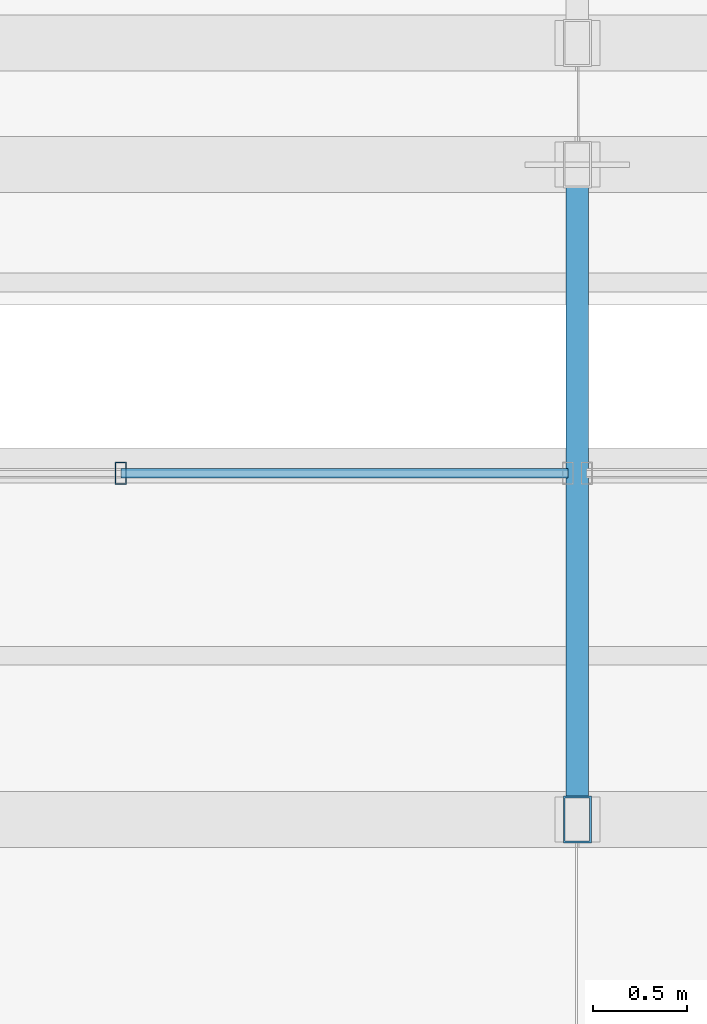
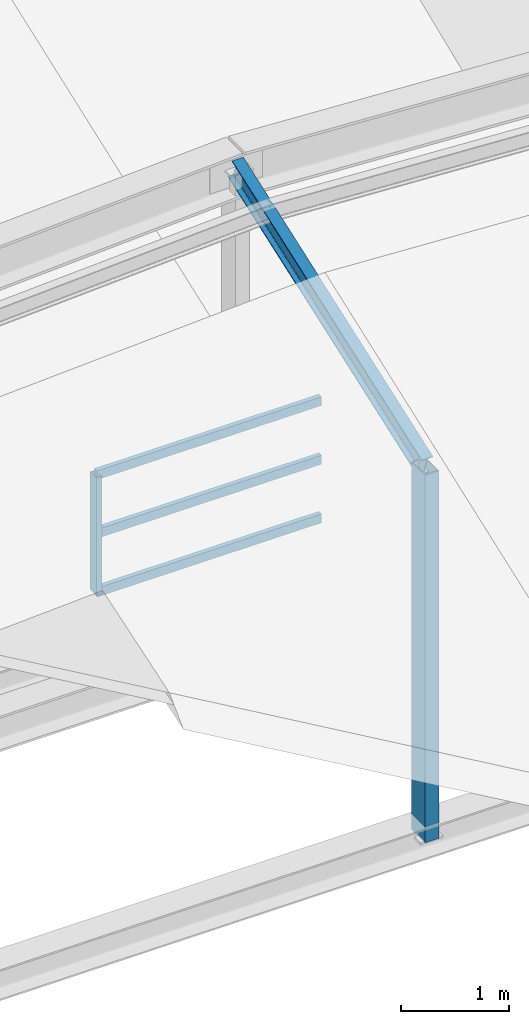
# One storey, part 12 of 141: 6 members, 1 element without a shape of its own.
"""IFC4 building model written with IfcOpenShell, lengths in metres."""

from ifc_helpers import new_model, si_unit, direction, frame, origin, origin_2d, place, context, subcontext, project, spatial, hollow_rectangle, i_section, extrude, material, material_profile, profile_set, type_object, element, aggregate, save


model = new_model("IFC4")

# Units and contexts
model_context = context("Model", 3, precision=1e-05, world=origin(), true_north=direction((0.0, 1.0)))
body_context = subcontext(model_context, "Body", "Model", "MODEL_VIEW")
ifc_project = project(units=[si_unit("LENGTHUNIT", "METRE"), si_unit("AREAUNIT", "SQUARE_METRE"), si_unit("VOLUMEUNIT", "CUBIC_METRE"), si_unit("PLANEANGLEUNIT", "RADIAN"), si_unit("MASSUNIT", "GRAM", prefix="KILO")], contexts=[model_context])

# Site, building, storey
site_placement = place(None, origin())
site = spatial("IfcSite", under=ifc_project, at=site_placement, CompositionType="ELEMENT")
building_placement = place(site_placement, origin())
building = spatial("IfcBuilding", under=site, at=building_placement, Name="Sundkrona Museum", CompositionType="ELEMENT")
storey_placement = place(building_placement, frame((0.0, 0.0, 34.0)))
storey = spatial("IfcBuildingStorey", under=building, at=storey_placement, Name="RF", CompositionType="ELEMENT", Elevation=34.0)

# Curtain wall, member
ifc_material_1 = material(Name="Unitised Aluminium-Steel and Ceramic-Clad Curtain Walling", Category="steel")
curtain_wall_type = type_object("IfcCurtainWallType", Name="CW-SW-240x13", PredefinedType="NOTDEFINED", material=ifc_material_1)
curtain_wall_placement = place(storey_placement, origin())
curtain_wall = element("IfcCurtainWall", 1, at=curtain_wall_placement, inside=storey, type_object=curtain_wall_type, Name="Sawtooth Bay 1 West North-Light Clerestory", PredefinedType="NOTDEFINED")
ifc_material_2 = material(Name="Aluminium EN AW-6060 T66", Category="aluminium")
ifc_material_profile_1 = material_profile(ifc_material_2, hollow_rectangle(XDim=0.06005859375, YDim=0.1201171875, WallThickness=0.0048828125, at=origin_2d()), Name="RHS 120x60x5.0")
ifc_profile_set_1 = profile_set([ifc_material_profile_1], Name="Aluminium EN AW-6060 T66")
member_type_1 = type_object("IfcMemberType", Name="ML-120", PredefinedType="MULLION", material=ifc_profile_set_1)
member_1_placement = place(storey_placement, frame((141.56005859375, 2.199951171875, 2.212890625), z_axis=(0.0, 0.0, 1.0), x_axis=(1.0, 0.0, 0.0)))
member_1 = element("IfcMember", 2, at=member_1_placement, type_object=member_type_1, Name="CW-RF-SAW-01W Mullion 10", PredefinedType="MULLION", context=body_context, shape_type="SweptSolid", body=[
    extrude(hollow_rectangle(XDim=0.06005859375, YDim=0.1201171875, WallThickness=0.0048828125, at=origin_2d()), origin(), (0.0, 0.0, 1.0), 1.320068359375),
])

# Members
ifc_material_3 = material(Name="Steel S355J2", Category="steel")
ifc_material_profile_2 = material_profile(ifc_material_3, i_section(OverallWidth=0.1201171875, OverallDepth=0.239990234375, WebThickness=0.006103515625, FlangeThickness=0.009765625, FilletRadius=0.014892578125, at=origin_2d()), Name="IPE 240")
ifc_profile_set_2 = profile_set([ifc_material_profile_2], Name="Steel S355J2")
member_type_2 = type_object("IfcMemberType", Name="PR-IPE240", PredefinedType="PURLIN", material=ifc_profile_set_2)
member_2_placement = place(storey_placement, frame((144.0, 0.35009765625, 3.88916015625), z_axis=(0.0, 0.941908281706, 0.335870196434), x_axis=(-1.0, 0.0, 0.0)))
element("IfcMember", 3, at=member_2_placement, inside=storey, type_object=member_type_2, Name="RFS-1 Sawtooth Bay 1 Transverse Rafter 4", PredefinedType="PURLIN", context=body_context, shape_type="SweptSolid", body=[
    extrude(i_section(OverallWidth=0.1201171875, OverallDepth=0.239990234375, WebThickness=0.006103515625, FlangeThickness=0.009765625, FilletRadius=0.014892578125, at=origin_2d()), origin(), (0.0, 0.0, 1.0), 3.7158203125),
])
ifc_material_profile_3 = material_profile(ifc_material_3, hollow_rectangle(XDim=0.14990234375, YDim=0.25, WallThickness=0.010009765625, at=origin_2d()), Name="RHS 250x150x10.0")
ifc_profile_set_3 = profile_set([ifc_material_profile_3], Name="Steel S355J2")
member_type_3 = type_object("IfcMemberType", Name="ST-RHS250", PredefinedType="STRUT", material=ifc_profile_set_3)
member_3_placement = place(storey_placement, frame((144.0, 0.35009765625, -0.25), z_axis=(0.0, 0.0, 1.0), x_axis=(1.0, 0.0, 0.0)))
element("IfcMember", 4, at=member_3_placement, inside=storey, type_object=member_type_3, Name="RFS-1 Sawtooth Bay 1 Valley Post 4", PredefinedType="STRUT", context=body_context, shape_type="SweptSolid", body=[
    extrude(hollow_rectangle(XDim=0.14990234375, YDim=0.25, WallThickness=0.010009765625, at=origin_2d()), origin(), (0.0, 0.0, 1.0), 4.13916015625),
])

# Member
ifc_material_profile_4 = material_profile(ifc_material_2, hollow_rectangle(XDim=0.050048828125, YDim=0.10009765625, WallThickness=0.0048828125, at=origin_2d()), Name="RHS 100x50x5.0")
ifc_profile_set_4 = profile_set([ifc_material_profile_4], Name="Aluminium EN AW-6060 T66")
member_type_4 = type_object("IfcMemberType", Name="TR-100", PredefinedType="USERDEFINED", material=ifc_profile_set_4)
member_4_placement = place(storey_placement, frame((141.56005859375, 2.199951171875, 2.212890625), z_axis=(1.0, 0.0, 0.0), x_axis=(0.0, 1.0, 0.0)))
member_4 = element("IfcMember", 5, at=member_4_placement, type_object=member_type_4, Name="CW-RF-SAW-01W Transom 28", ObjectType="TRANSOM", PredefinedType="USERDEFINED", context=body_context, shape_type="SweptSolid", body=[
    extrude(hollow_rectangle(XDim=0.050048828125, YDim=0.10009765625, WallThickness=0.0048828125, at=origin_2d()), origin(), (0.0, 0.0, 1.0), 2.389892578125),
])

member_5_placement = place(storey_placement, frame((141.56005859375, 2.199951171875, 2.873046875), z_axis=(1.0, 0.0, 0.0), x_axis=(0.0, 1.0, 0.0)))
member_5 = element("IfcMember", 6, at=member_5_placement, type_object=member_type_4, Name="CW-RF-SAW-01W Transom 29", ObjectType="TRANSOM", PredefinedType="USERDEFINED", context=body_context, shape_type="SweptSolid", body=[
    extrude(hollow_rectangle(XDim=0.050048828125, YDim=0.10009765625, WallThickness=0.0048828125, at=origin_2d()), origin(), (0.0, 0.0, 1.0), 2.389892578125),
])

member_6_placement = place(storey_placement, frame((141.56005859375, 2.199951171875, 3.532958984375), z_axis=(1.0, 0.0, 0.0), x_axis=(0.0, 1.0, 0.0)))
member_6 = element("IfcMember", 7, at=member_6_placement, type_object=member_type_4, Name="CW-RF-SAW-01W Transom 30", ObjectType="TRANSOM", PredefinedType="USERDEFINED", context=body_context, shape_type="SweptSolid", body=[
    extrude(hollow_rectangle(XDim=0.050048828125, YDim=0.10009765625, WallThickness=0.0048828125, at=origin_2d()), origin(), (0.0, 0.0, 1.0), 2.389892578125),
])

aggregate(curtain_wall, [member_1, member_4, member_5, member_6])

save(model, "model.ifc")
